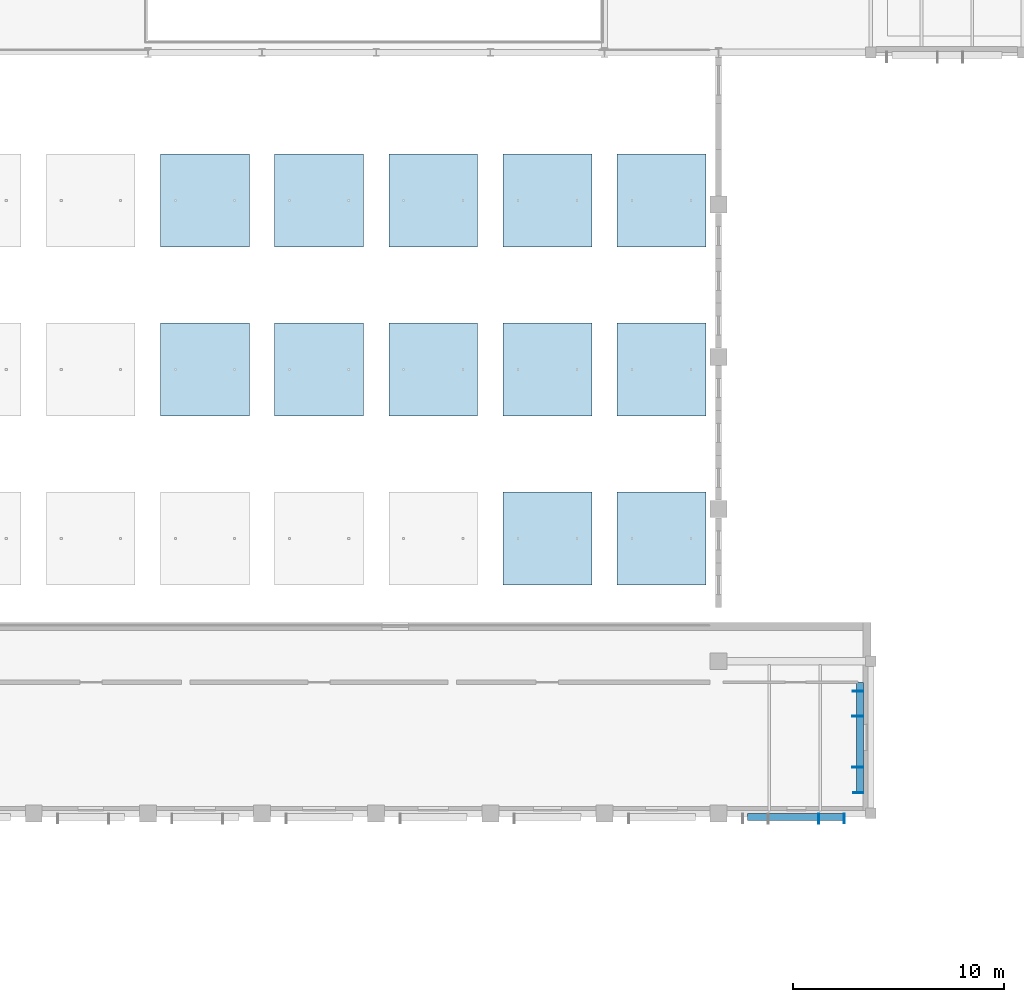
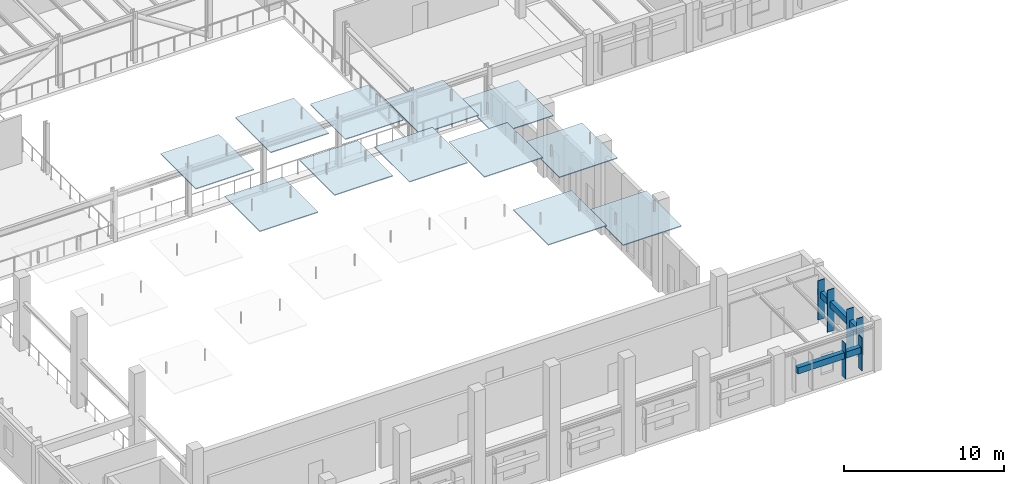
# One storey, part 13 of 44: 20 plates.
"""IFC4 building model written with IfcOpenShell, lengths in metres."""

from ifc_helpers import new_model, si_unit, direction, frame, origin, origin_2d, place, context, subcontext, project, spatial, rectangle, extrude, material, layer, layer_set, type_object, element, save


model = new_model("IFC4")

# Units and contexts
model_context = context("Model", 3, precision=1e-05, world=origin(), true_north=direction((0.0, 1.0)))
body_context = subcontext(model_context, "Body", "Model", "MODEL_VIEW")
ifc_project = project(units=[si_unit("LENGTHUNIT", "METRE"), si_unit("AREAUNIT", "SQUARE_METRE"), si_unit("VOLUMEUNIT", "CUBIC_METRE"), si_unit("PLANEANGLEUNIT", "RADIAN"), si_unit("MASSUNIT", "GRAM", prefix="KILO")], contexts=[model_context])

# Site, building, storey
site_placement = place(None, origin())
site = spatial("IfcSite", under=ifc_project, at=site_placement, CompositionType="ELEMENT")
building_placement = place(site_placement, origin())
building = spatial("IfcBuilding", under=site, at=building_placement, Name="Tazoul Stagehouse", CompositionType="ELEMENT")
storey_placement = place(building_placement, frame((0.0, 0.0, 13.199951171875)))
storey = spatial("IfcBuildingStorey", under=building, at=storey_placement, Name="L03", CompositionType="ELEMENT", Elevation=13.199951171875)

# Plates
ifc_material_1 = material(Name="Acoustic Cedar Timber", Category="wood")
ifc_layer_1 = layer(ifc_material_1, 0.06494140625, Name="Acoustic Cedar Timber")
ifc_layer_set_1 = layer_set([ifc_layer_1], Name="Acoustic Cedar Timber")
plate_type_1 = type_object("IfcPlateType", Name="Curved Cedar Acoustic Reflector Cloud 65", PredefinedType="USERDEFINED", material=ifc_layer_set_1)
for number, where, z_axis, x_axis, name in (
    (1, (71.10009765625, 72.800048828125, 10.819091796875), (0.0, 0.0, 1.0), (1.0, 0.0, 0.0), "Auditorium Acoustic Reflector Cloud ACP-01 3.2"),
    (2, (71.10009765625, 80.800048828125, 9.2138671875), (0.0, 0.0, 1.0), (1.0, 0.0, 0.0), "Auditorium Acoustic Reflector Cloud ACP-01 3.3"),
    (3, (76.5, 72.800048828125, 11.697021484375), (0.0, 0.0, 1.0), (1.0, 0.0, 0.0), "Auditorium Acoustic Reflector Cloud ACP-01 4.2"),
    (4, (76.5, 80.800048828125, 10.091796875), (0.0, 0.0, 1.0), (1.0, 0.0, 0.0), "Auditorium Acoustic Reflector Cloud ACP-01 4.3"),
    (5, (81.89990234375, 72.800048828125, 10.819091796875), (0.0, 0.0, 1.0), (1.0, 0.0, 0.0), "Auditorium Acoustic Reflector Cloud ACP-01 5.2"),
    (6, (81.89990234375, 80.800048828125, 9.2138671875), (0.0, 0.0, 1.0), (1.0, 0.0, 0.0), "Auditorium Acoustic Reflector Cloud ACP-01 5.3"),
    (7, (87.300048828125, 64.800048828125, 8.969970703125), (0.0, 0.0, 1.0), (1.0, 0.0, 0.0), "Auditorium Acoustic Reflector Cloud ACP-01 6.1"),
    (8, (87.300048828125, 72.800048828125, 9.298095703125), (0.0, 0.0, 1.0), (1.0, 0.0, 0.0), "Auditorium Acoustic Reflector Cloud ACP-01 6.2"),
    (9, (87.300048828125, 80.800048828125, 7.69287109375), (0.0, 0.0, 1.0), (1.0, 0.0, 0.0), "Auditorium Acoustic Reflector Cloud ACP-01 6.3"),
    (10, (92.699951171875, 64.800048828125, 7.05029296875), (0.0, 0.0, 1.0), (1.0, 0.0, 0.0), "Auditorium Acoustic Reflector Cloud ACP-01 7.1"),
    (11, (92.699951171875, 72.800048828125, 7.378173828125), (0.0, 0.0, 1.0), (1.0, 0.0, 0.0), "Auditorium Acoustic Reflector Cloud ACP-01 7.2"),
    (12, (92.699951171875, 80.800048828125, 5.773193359375), (0.0, 0.0, 1.0), (1.0, 0.0, 0.0), "Auditorium Acoustic Reflector Cloud ACP-01 7.3"),
):
    element("IfcPlate", number, at=place(storey_placement, frame(where, z_axis=z_axis, x_axis=x_axis)), inside=storey, type_object=plate_type_1, Name=name, ObjectType="ACOUSTIC PANEL", PredefinedType="USERDEFINED", context=body_context, shape_type="SweptSolid", body=[
        extrude(rectangle(XDim=4.199951171875, YDim=4.39990234375, at=origin_2d()), origin(), (0.0, 0.0, 1.0), 0.06494140625),
    ])
ifc_material_2 = material(Name="Anodised Bronze Aluminium 6063-T6", Category="aluminium")
ifc_layer_2 = layer(ifc_material_2, 0.449951171875, Name="Anodised Bronze Aluminium 6063-T6")
ifc_layer_set_2 = layer_set([ifc_layer_2], Name="Anodised Bronze Aluminium 6063-T6")
plate_type_2 = type_object("IfcPlateType", Name="Parametric Terracotta-Bronze Solar Fin 450x2500", PredefinedType="USERDEFINED", material=ifc_layer_set_2)
plate_1_placement = place(storey_placement, frame((101.340087890625, 51.56494140625, 0.580078125), z_axis=(0.0, 0.0, 1.0), x_axis=(1.0, 0.0, 0.0)))
element("IfcPlate", 13, at=plate_1_placement, inside=storey, type_object=plate_type_2, Name="L03 Parametric Solar Fin SFN-11 (WALL-V1-S-L03-S1-B9-05)", ObjectType="SOLAR FIN", PredefinedType="USERDEFINED", context=body_context, shape_type="SweptSolid", body=[
    extrude(rectangle(XDim=0.044921875, YDim=0.449951171875, at=origin_2d()), origin(), (0.0, 0.0, 1.0), 2.5),
])
ifc_layer_3 = layer(ifc_material_2, 0.469970703125, Name="Anodised Bronze Aluminium 6063-T6")
ifc_layer_set_3 = layer_set([ifc_layer_3], Name="Anodised Bronze Aluminium 6063-T6")
plate_type_3 = type_object("IfcPlateType", Name="Parametric Terracotta-Bronze Solar Fin 470x2700", PredefinedType="USERDEFINED", material=ifc_layer_set_3)
plate_2_placement = place(storey_placement, frame((100.139892578125, 51.554931640625, 0.3798828125), z_axis=(0.0, 0.0, 1.0), x_axis=(1.0, 0.0, 0.0)))
element("IfcPlate", 14, at=plate_2_placement, inside=storey, type_object=plate_type_3, Name="L03 Parametric Solar Fin SFN-13 (WALL-V1-S-L03-S1-B9-04)", ObjectType="SOLAR FIN", PredefinedType="USERDEFINED", context=body_context, shape_type="SweptSolid", body=[
    extrude(rectangle(XDim=0.044921875, YDim=0.469970703125, at=origin_2d()), origin(), (0.0, 0.0, 1.0), 2.699951171875),
])
ifc_layer_4 = layer(ifc_material_2, 0.489990234375, Name="Anodised Bronze Aluminium 6063-T6")
ifc_layer_set_4 = layer_set([ifc_layer_4], Name="Anodised Bronze Aluminium 6063-T6")
plate_type_4 = type_object("IfcPlateType", Name="Parametric Terracotta-Bronze Solar Fin 490x2900", PredefinedType="USERDEFINED", material=ifc_layer_set_4)
plate_3_placement = place(storey_placement, frame((102.0048828125, 52.7900390625, 0.630126953125), z_axis=(0.0, 0.0, 1.0), x_axis=(0.0, 1.0, 0.0)))
element("IfcPlate", 15, at=plate_3_placement, inside=storey, type_object=plate_type_4, Name="L03 Parametric Solar Fin SFN-15 (WALL-V1-E-L03S-S1-B1-01)", ObjectType="SOLAR FIN", PredefinedType="USERDEFINED", context=body_context, shape_type="SweptSolid", body=[
    extrude(rectangle(XDim=0.044921875, YDim=0.489990234375, at=origin_2d()), origin(), (0.0, 0.0, 1.0), 2.89990234375),
])
ifc_layer_5 = layer(ifc_material_2, 0.5, Name="Anodised Bronze Aluminium 6063-T6")
ifc_layer_set_5 = layer_set([ifc_layer_5], Name="Anodised Bronze Aluminium 6063-T6")
plate_type_5 = type_object("IfcPlateType", Name="Parametric Terracotta-Bronze Solar Fin 500x3000", PredefinedType="USERDEFINED", material=ifc_layer_set_5)
plate_4_placement = place(storey_placement, frame((102.0, 57.590087890625, 0.530029296875), z_axis=(0.0, 0.0, 1.0), x_axis=(0.0, 1.0, 0.0)))
element("IfcPlate", 16, at=plate_4_placement, inside=storey, type_object=plate_type_5, Name="L03 Parametric Solar Fin SFN-16 (WALL-V1-E-L03S-S1-B1-05)", ObjectType="SOLAR FIN", PredefinedType="USERDEFINED", context=body_context, shape_type="SweptSolid", body=[
    extrude(rectangle(XDim=0.044921875, YDim=0.5, at=origin_2d()), origin(), (0.0, 0.0, 1.0), 3.0),
])
ifc_layer_6 = layer(ifc_material_2, 0.52001953125, Name="Anodised Bronze Aluminium 6063-T6")
ifc_layer_set_6 = layer_set([ifc_layer_6], Name="Anodised Bronze Aluminium 6063-T6")
plate_type_6 = type_object("IfcPlateType", Name="Parametric Terracotta-Bronze Solar Fin 520x3200", PredefinedType="USERDEFINED", material=ifc_layer_set_6)
for number, where, z_axis, x_axis, name in (
    (17, (101.989990234375, 53.989990234375, 0.330078125), (0.0, 0.0, 1.0), (0.0, 1.0, 0.0), "L03 Parametric Solar Fin SFN-18 (WALL-V1-E-L03S-S1-B1-02)"),
    (18, (101.989990234375, 56.389892578125, 0.330078125), (0.0, 0.0, 1.0), (0.0, 1.0, 0.0), "L03 Parametric Solar Fin SFN-18 (WALL-V1-E-L03S-S1-B1-04)"),
):
    element("IfcPlate", number, at=place(storey_placement, frame(where, z_axis=z_axis, x_axis=x_axis)), inside=storey, type_object=plate_type_6, Name=name, ObjectType="SOLAR FIN", PredefinedType="USERDEFINED", context=body_context, shape_type="SweptSolid", body=[
        extrude(rectangle(XDim=0.044921875, YDim=0.52001953125, at=origin_2d()), origin(), (0.0, 0.0, 1.0), 3.199951171875),
    ])
ifc_layer_7 = layer(ifc_material_2, 0.320068359375, Name="Anodised Bronze Aluminium 6063-T6")
ifc_layer_set_7 = layer_set([ifc_layer_7], Name="Anodised Bronze Aluminium 6063-T6")
plate_type_7 = type_object("IfcPlateType", Name="Sculpted Facade Spandrel Ribbon 4600x480", PredefinedType="USERDEFINED", material=ifc_layer_set_7)
plate_5_placement = place(storey_placement, frame((99.074951171875, 51.6298828125, 1.840087890625), z_axis=(0.0, 0.0, 1.0), x_axis=(1.0, 0.0, 0.0)))
element("IfcPlate", 19, at=plate_5_placement, inside=storey, type_object=plate_type_7, Name="L03 Sculpted Facade Spandrel Ribbon FRB-06 (WALL-V1-S-L03-S1-B9)", ObjectType="FACADE RIBBON", PredefinedType="USERDEFINED", context=body_context, shape_type="SweptSolid", body=[
    extrude(rectangle(XDim=4.60009765625, YDim=0.320068359375, at=origin_2d()), origin(), (0.0, 0.0, 1.0), 0.47998046875),
])
ifc_layer_8 = layer(ifc_material_2, 0.320068359375, Name="Anodised Bronze Aluminium 6063-T6")
ifc_layer_set_8 = layer_set([ifc_layer_8], Name="Anodised Bronze Aluminium 6063-T6")
plate_type_8 = type_object("IfcPlateType", Name="Sculpted Facade Spandrel Ribbon 5200x480", PredefinedType="USERDEFINED", material=ifc_layer_set_8)
plate_6_placement = place(storey_placement, frame((102.090087890625, 55.39990234375, 2.132568359375), z_axis=(0.0, 0.0, 1.0), x_axis=(0.0, 1.0, 0.0)))
element("IfcPlate", 20, at=plate_6_placement, inside=storey, type_object=plate_type_8, Name="L03 Sculpted Facade Spandrel Ribbon FRB-07 (WALL-V1-E-L03S-S1-B1)", ObjectType="FACADE RIBBON", PredefinedType="USERDEFINED", context=body_context, shape_type="SweptSolid", body=[
    extrude(rectangle(XDim=5.199951171875, YDim=0.320068359375, at=origin_2d()), origin(), (0.0, 0.0, 1.0), 0.47998046875),
])

save(model, "model.ifc")
